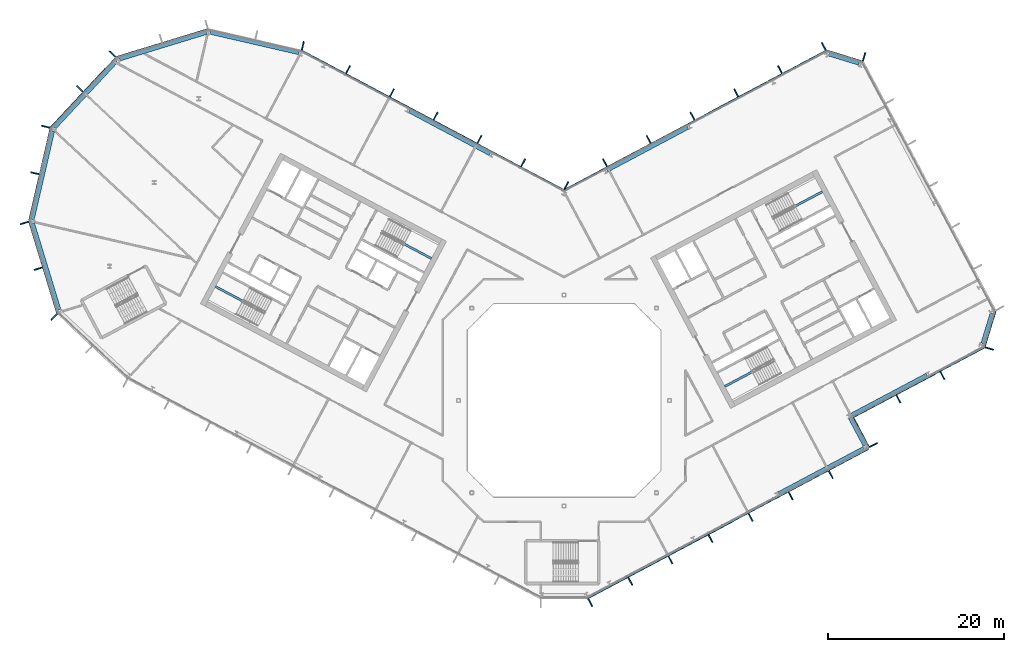
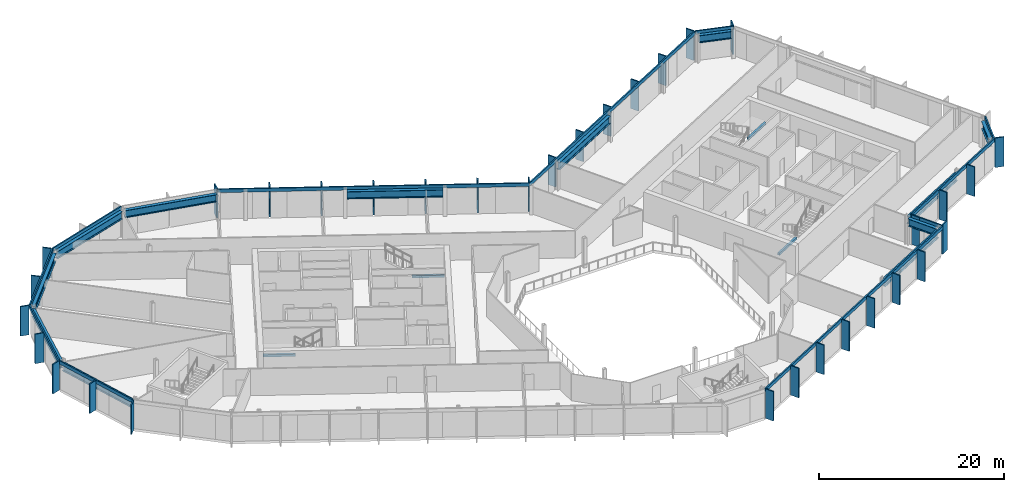
# One storey, part 9 of 27: 44 members, 16 beams, 13 elements without a shape of their own.
"""IFC4 building model written with IfcOpenShell, lengths in metres."""

from ifc_helpers import new_model, si_unit, direction, frame, origin, origin_2d, place, context, subcontext, project, spatial, rectangle, i_section, extrude, material, layer, layer_set, material_profile, profile_set, type_object, element, aggregate, save


model = new_model("IFC4")

# Units and contexts
model_context = context("Model", 3, precision=1e-05, world=origin(), true_north=direction((0.0, 1.0)))
body_context = subcontext(model_context, "Body", "Model", "MODEL_VIEW")
ifc_project = project(units=[si_unit("LENGTHUNIT", "METRE"), si_unit("AREAUNIT", "SQUARE_METRE"), si_unit("VOLUMEUNIT", "CUBIC_METRE"), si_unit("PLANEANGLEUNIT", "RADIAN"), si_unit("MASSUNIT", "GRAM", prefix="KILO")], contexts=[model_context])

# Site, building, storey
site_placement = place(None, origin())
site = spatial("IfcSite", under=ifc_project, at=site_placement, CompositionType="ELEMENT")
building_placement = place(site_placement, origin())
building = spatial("IfcBuilding", under=site, at=building_placement, Name="Cormorant Relay Tower", CompositionType="ELEMENT")
storey_placement = place(building_placement, frame((0.0, 0.0, 209.10009765625)))
storey = spatial("IfcBuildingStorey", under=building, at=storey_placement, Name="L45", CompositionType="ELEMENT", Elevation=209.10009765625)

# Curtain wall, members
ifc_material_1 = material(Name="Aluminium 6063-T6 anodised bronze", Category="aluminium")
ifc_layer = layer(ifc_material_1, 0.199951171875)
ifc_layer_set = layer_set([ifc_layer], Name="CW1 unitised bronze curtain wall with vertical fins")
curtain_wall_type = type_object("IfcCurtainWallType", Name="CW1 unitised bronze curtain wall with vertical fins", PredefinedType="NOTDEFINED", material=ifc_layer_set)
curtain_wall_1_placement = place(storey_placement, origin())
curtain_wall_1 = element("IfcCurtainWall", 1, at=curtain_wall_1_placement, inside=storey, type_object=curtain_wall_type, Name="CW1 curtain wall 2", PredefinedType="NOTDEFINED")
ifc_material_2 = material(Name="Aluminium 6063-T6 anodised bronze", Category="aluminium")
ifc_material_profile_1 = material_profile(ifc_material_2, rectangle(XDim=0.14990234375, YDim=1.0, at=origin_2d()), Name="AL 150x1000")
ifc_profile_set_1 = profile_set([ifc_material_profile_1], Name="Aluminium 6063-T6 anodised bronze")
member_type_1 = type_object("IfcMemberType", Name="CW1 bronze fin mullion 150 x 1000", PredefinedType="MULLION", material=ifc_profile_set_1)
member_1_placement = place(storey_placement, frame((2.9775390625, -22.99365234375, 0.0), z_axis=(0.0, 0.0, 1.0), x_axis=(0.882947592859, 0.469471562786, 0.0)))
member_1 = element("IfcMember", 2, at=member_1_placement, type_object=member_type_1, Name="CW1 fin 2.1", PredefinedType="MULLION", context=body_context, shape_type="SweptSolid", body=[
    extrude(rectangle(XDim=0.14990234375, YDim=1.0, at=origin_2d()), origin(), (0.0, 0.0, 1.0), 3.89990234375),
])
member_2_placement = place(storey_placement, frame((7.539306640625, -20.568115234375, 0.0), z_axis=(0.0, 0.0, 1.0), x_axis=(0.882947592859, 0.469471562786, 0.0)))
member_2 = element("IfcMember", 3, at=member_2_placement, type_object=member_type_1, Name="CW1 fin 2.2", PredefinedType="MULLION", context=body_context, shape_type="SweptSolid", body=[
    extrude(rectangle(XDim=0.14990234375, YDim=1.0, at=origin_2d()), origin(), (0.0, 0.0, 1.0), 3.89990234375),
])
member_3_placement = place(storey_placement, frame((12.10107421875, -18.142578125, 0.0), z_axis=(0.0, 0.0, 1.0), x_axis=(0.882947592859, 0.469471562786, 0.0)))
member_3 = element("IfcMember", 4, at=member_3_placement, type_object=member_type_1, Name="CW1 fin 2.3", PredefinedType="MULLION", context=body_context, shape_type="SweptSolid", body=[
    extrude(rectangle(XDim=0.14990234375, YDim=1.0, at=origin_2d()), origin(), (0.0, 0.0, 1.0), 3.89990234375),
])
member_4_placement = place(storey_placement, frame((16.662841796875, -15.717041015625, 0.0), z_axis=(0.0, 0.0, 1.0), x_axis=(0.882947592859, 0.469471562786, 0.0)))
member_4 = element("IfcMember", 5, at=member_4_placement, type_object=member_type_1, Name="CW1 fin 2.4", PredefinedType="MULLION", context=body_context, shape_type="SweptSolid", body=[
    extrude(rectangle(XDim=0.14990234375, YDim=1.0, at=origin_2d()), origin(), (0.0, 0.0, 1.0), 3.89990234375),
])
member_5_placement = place(storey_placement, frame((21.224609375, -13.29150390625, 0.0), z_axis=(0.0, 0.0, 1.0), x_axis=(0.882947592859, 0.469471562786, 0.0)))
member_5 = element("IfcMember", 6, at=member_5_placement, type_object=member_type_1, Name="CW1 fin 2.5", PredefinedType="MULLION", context=body_context, shape_type="SweptSolid", body=[
    extrude(rectangle(XDim=0.14990234375, YDim=1.0, at=origin_2d()), origin(), (0.0, 0.0, 1.0), 3.89990234375),
])
member_6_placement = place(storey_placement, frame((25.78662109375, -10.865966796875, 0.0), z_axis=(0.0, 0.0, 1.0), x_axis=(0.882947592859, 0.469471562786, 0.0)))
member_6 = element("IfcMember", 7, at=member_6_placement, type_object=member_type_1, Name="CW1 fin 2.6", PredefinedType="MULLION", context=body_context, shape_type="SweptSolid", body=[
    extrude(rectangle(XDim=0.14990234375, YDim=1.0, at=origin_2d()), origin(), (0.0, 0.0, 1.0), 3.89990234375),
])
member_7_placement = place(storey_placement, frame((30.348388671875, -8.440185546875, 0.0), z_axis=(0.0, 0.0, 1.0), x_axis=(0.882947592859, 0.469471562786, 0.0)))
member_7 = element("IfcMember", 8, at=member_7_placement, type_object=member_type_1, Name="CW1 fin 2.7", PredefinedType="MULLION", context=body_context, shape_type="SweptSolid", body=[
    extrude(rectangle(XDim=0.14990234375, YDim=1.0, at=origin_2d()), origin(), (0.0, 0.0, 1.0), 3.89990234375),
])

# Curtain wall, member
curtain_wall_2_placement = place(storey_placement, origin())
curtain_wall_2 = element("IfcCurtainWall", 9, at=curtain_wall_2_placement, inside=storey, type_object=curtain_wall_type, Name="CW1 curtain wall 3", PredefinedType="NOTDEFINED")
member_8_placement = place(storey_placement, frame((35.199462890625, -5.068115234375, 0.0), z_axis=(0.0, 0.0, 1.0), x_axis=(-0.469471562786, 0.882947592859, 0.0)))
member_8 = element("IfcMember", 10, at=member_8_placement, type_object=member_type_1, Name="CW1 fin 3.1", PredefinedType="MULLION", context=body_context, shape_type="SweptSolid", body=[
    extrude(rectangle(XDim=0.14990234375, YDim=1.0, at=origin_2d()), origin(), (0.0, 0.0, 1.0), 3.89990234375),
])

# Curtain wall, members
curtain_wall_3_placement = place(storey_placement, origin())
curtain_wall_3 = element("IfcCurtainWall", 11, at=curtain_wall_3_placement, inside=storey, type_object=curtain_wall_type, Name="CW1 curtain wall 4", PredefinedType="NOTDEFINED")
member_9_placement = place(storey_placement, frame((33.098388671875, -2.44775390625, 0.0), z_axis=(0.0, 0.0, 1.0), x_axis=(0.882947592859, 0.469471562786, 0.0)))
member_9 = element("IfcMember", 12, at=member_9_placement, type_object=member_type_1, Name="CW1 fin 4.1", PredefinedType="MULLION", context=body_context, shape_type="SweptSolid", body=[
    extrude(rectangle(XDim=0.14990234375, YDim=1.0, at=origin_2d()), origin(), (0.0, 0.0, 1.0), 3.89990234375),
])
member_10_placement = place(storey_placement, frame((38.035400390625, 0.177490234375, 0.0), z_axis=(0.0, 0.0, 1.0), x_axis=(0.882947592859, 0.469471562786, 0.0)))
member_10 = element("IfcMember", 13, at=member_10_placement, type_object=member_type_1, Name="CW1 fin 4.2", PredefinedType="MULLION", context=body_context, shape_type="SweptSolid", body=[
    extrude(rectangle(XDim=0.14990234375, YDim=1.0, at=origin_2d()), origin(), (0.0, 0.0, 1.0), 3.89990234375),
])
member_11_placement = place(storey_placement, frame((43.038818359375, 2.837646484375, 0.0), z_axis=(0.0, 0.0, 1.0), x_axis=(0.882947592859, 0.469471562786, 0.0)))
member_11 = element("IfcMember", 14, at=member_11_placement, type_object=member_type_1, Name="CW1 fin 4.3", PredefinedType="MULLION", context=body_context, shape_type="SweptSolid", body=[
    extrude(rectangle(XDim=0.14990234375, YDim=1.0, at=origin_2d()), origin(), (0.0, 0.0, 1.0), 3.89990234375),
])

# Curtain wall, member
curtain_wall_4_placement = place(storey_placement, origin())
curtain_wall_4 = element("IfcCurtainWall", 15, at=curtain_wall_4_placement, inside=storey, type_object=curtain_wall_type, Name="CW1 curtain wall 5", PredefinedType="NOTDEFINED")
member_12_placement = place(storey_placement, frame((48.383056640625, 5.91162109375, 0.0), z_axis=(0.0, 0.0, 1.0), x_axis=(0.292371704723, 0.956304755963, 0.0)))
member_12 = element("IfcMember", 16, at=member_12_placement, type_object=member_type_1, Name="CW1 fin 5.1", PredefinedType="MULLION", context=body_context, shape_type="SweptSolid", body=[
    extrude(rectangle(XDim=0.14990234375, YDim=1.0, at=origin_2d()), origin(), (0.0, 0.0, 1.0), 3.89990234375),
])

curtain_wall_5_placement = place(storey_placement, origin())
curtain_wall_5 = element("IfcCurtainWall", 17, at=curtain_wall_5_placement, inside=storey, type_object=curtain_wall_type, Name="CW1 curtain wall 7", PredefinedType="NOTDEFINED")
member_13_placement = place(storey_placement, frame((34.1357421875, 39.09716796875, 0.0), z_axis=(0.0, 0.0, 1.0), x_axis=(-0.956304755963, 0.292371704723, 0.0)))
member_13 = element("IfcMember", 18, at=member_13_placement, type_object=member_type_1, Name="CW1 fin 7.1", PredefinedType="MULLION", context=body_context, shape_type="SweptSolid", body=[
    extrude(rectangle(XDim=0.14990234375, YDim=1.0, at=origin_2d()), origin(), (0.0, 0.0, 1.0), 3.89990234375),
])

# Curtain wall, members
curtain_wall_6_placement = place(storey_placement, origin())
curtain_wall_6 = element("IfcCurtainWall", 19, at=curtain_wall_6_placement, inside=storey, type_object=curtain_wall_type, Name="CW1 curtain wall 8", PredefinedType="NOTDEFINED")
member_14_placement = place(storey_placement, frame((29.545166015625, 40.2861328125, 0.0), z_axis=(0.0, 0.0, 1.0), x_axis=(-0.882947592859, -0.469471562786, 0.0)))
member_14 = element("IfcMember", 20, at=member_14_placement, type_object=member_type_1, Name="CW1 fin 8.1", PredefinedType="MULLION", context=body_context, shape_type="SweptSolid", body=[
    extrude(rectangle(XDim=0.14990234375, YDim=1.0, at=origin_2d()), origin(), (0.0, 0.0, 1.0), 3.89990234375),
])
member_15_placement = place(storey_placement, frame((24.566162109375, 37.638916015625, 0.0), z_axis=(0.0, 0.0, 1.0), x_axis=(-0.882947592859, -0.469471562786, 0.0)))
member_15 = element("IfcMember", 21, at=member_15_placement, type_object=member_type_1, Name="CW1 fin 8.2", PredefinedType="MULLION", context=body_context, shape_type="SweptSolid", body=[
    extrude(rectangle(XDim=0.14990234375, YDim=1.0, at=origin_2d()), origin(), (0.0, 0.0, 1.0), 3.89990234375),
])
member_16_placement = place(storey_placement, frame((19.587158203125, 34.991455078125, 0.0), z_axis=(0.0, 0.0, 1.0), x_axis=(-0.882947592859, -0.469471562786, 0.0)))
member_16 = element("IfcMember", 22, at=member_16_placement, type_object=member_type_1, Name="CW1 fin 8.3", PredefinedType="MULLION", context=body_context, shape_type="SweptSolid", body=[
    extrude(rectangle(XDim=0.14990234375, YDim=1.0, at=origin_2d()), origin(), (0.0, 0.0, 1.0), 3.89990234375),
])
member_17_placement = place(storey_placement, frame((14.608154296875, 32.343994140625, 0.0), z_axis=(0.0, 0.0, 1.0), x_axis=(-0.882947592859, -0.469471562786, 0.0)))
member_17 = element("IfcMember", 23, at=member_17_placement, type_object=member_type_1, Name="CW1 fin 8.4", PredefinedType="MULLION", context=body_context, shape_type="SweptSolid", body=[
    extrude(rectangle(XDim=0.14990234375, YDim=1.0, at=origin_2d()), origin(), (0.0, 0.0, 1.0), 3.89990234375),
])
member_18_placement = place(storey_placement, frame((9.62939453125, 29.69677734375, 0.0), z_axis=(0.0, 0.0, 1.0), x_axis=(-0.882947592859, -0.469471562786, 0.0)))
member_18 = element("IfcMember", 24, at=member_18_placement, type_object=member_type_1, Name="CW1 fin 8.5", PredefinedType="MULLION", context=body_context, shape_type="SweptSolid", body=[
    extrude(rectangle(XDim=0.14990234375, YDim=1.0, at=origin_2d()), origin(), (0.0, 0.0, 1.0), 3.89990234375),
])
member_19_placement = place(storey_placement, frame((4.650390625, 27.04931640625, 0.0), z_axis=(0.0, 0.0, 1.0), x_axis=(-0.882947592859, -0.469471562786, 0.0)))
member_19 = element("IfcMember", 25, at=member_19_placement, type_object=member_type_1, Name="CW1 fin 8.6", PredefinedType="MULLION", context=body_context, shape_type="SweptSolid", body=[
    extrude(rectangle(XDim=0.14990234375, YDim=1.0, at=origin_2d()), origin(), (0.0, 0.0, 1.0), 3.89990234375),
])

curtain_wall_7_placement = place(storey_placement, origin())
curtain_wall_7 = element("IfcCurtainWall", 26, at=curtain_wall_7_placement, inside=storey, type_object=curtain_wall_type, Name="CW1 curtain wall 9", PredefinedType="NOTDEFINED")
member_20_placement = place(storey_placement, frame((0.262451171875, 24.437255859375, 0.0), z_axis=(0.0, 0.0, 1.0), x_axis=(-0.882947592859, 0.469471562786, 0.0)))
member_20 = element("IfcMember", 27, at=member_20_placement, type_object=member_type_1, Name="CW1 fin 9.1", PredefinedType="MULLION", context=body_context, shape_type="SweptSolid", body=[
    extrude(rectangle(XDim=0.14990234375, YDim=1.0, at=origin_2d()), origin(), (0.0, 0.0, 1.0), 3.89990234375),
])
member_21_placement = place(storey_placement, frame((-4.650390625, 27.04931640625, 0.0), z_axis=(0.0, 0.0, 1.0), x_axis=(-0.882947592859, 0.469471562786, 0.0)))
member_21 = element("IfcMember", 28, at=member_21_placement, type_object=member_type_1, Name="CW1 fin 9.2", PredefinedType="MULLION", context=body_context, shape_type="SweptSolid", body=[
    extrude(rectangle(XDim=0.14990234375, YDim=1.0, at=origin_2d()), origin(), (0.0, 0.0, 1.0), 3.89990234375),
])
member_22_placement = place(storey_placement, frame((-9.62939453125, 29.69677734375, 0.0), z_axis=(0.0, 0.0, 1.0), x_axis=(-0.882947592859, 0.469471562786, 0.0)))
member_22 = element("IfcMember", 29, at=member_22_placement, type_object=member_type_1, Name="CW1 fin 9.3", PredefinedType="MULLION", context=body_context, shape_type="SweptSolid", body=[
    extrude(rectangle(XDim=0.14990234375, YDim=1.0, at=origin_2d()), origin(), (0.0, 0.0, 1.0), 3.89990234375),
])
member_23_placement = place(storey_placement, frame((-14.608154296875, 32.343994140625, 0.0), z_axis=(0.0, 0.0, 1.0), x_axis=(-0.882947592859, 0.469471562786, 0.0)))
member_23 = element("IfcMember", 30, at=member_23_placement, type_object=member_type_1, Name="CW1 fin 9.4", PredefinedType="MULLION", context=body_context, shape_type="SweptSolid", body=[
    extrude(rectangle(XDim=0.14990234375, YDim=1.0, at=origin_2d()), origin(), (0.0, 0.0, 1.0), 3.89990234375),
])
member_24_placement = place(storey_placement, frame((-19.587158203125, 34.991455078125, 0.0), z_axis=(0.0, 0.0, 1.0), x_axis=(-0.882947592859, 0.469471562786, 0.0)))
member_24 = element("IfcMember", 31, at=member_24_placement, type_object=member_type_1, Name="CW1 fin 9.5", PredefinedType="MULLION", context=body_context, shape_type="SweptSolid", body=[
    extrude(rectangle(XDim=0.14990234375, YDim=1.0, at=origin_2d()), origin(), (0.0, 0.0, 1.0), 3.89990234375),
])
member_25_placement = place(storey_placement, frame((-24.566162109375, 37.638916015625, 0.0), z_axis=(0.0, 0.0, 1.0), x_axis=(-0.882947592859, 0.469471562786, 0.0)))
member_25 = element("IfcMember", 32, at=member_25_placement, type_object=member_type_1, Name="CW1 fin 9.6", PredefinedType="MULLION", context=body_context, shape_type="SweptSolid", body=[
    extrude(rectangle(XDim=0.14990234375, YDim=1.0, at=origin_2d()), origin(), (0.0, 0.0, 1.0), 3.89990234375),
])

# Curtain wall, member
curtain_wall_8_placement = place(storey_placement, origin())
curtain_wall_8 = element("IfcCurtainWall", 33, at=curtain_wall_8_placement, inside=storey, type_object=curtain_wall_type, Name="CW1 curtain wall 10", PredefinedType="NOTDEFINED")
member_26_placement = place(storey_placement, frame((-29.71630859375, 40.35009765625, 0.0), z_axis=(0.0, 0.0, 1.0), x_axis=(-0.974370064785, 0.224951054344, 0.0)))
member_26 = element("IfcMember", 34, at=member_26_placement, type_object=member_type_1, Name="CW1 fin 10.1", PredefinedType="MULLION", context=body_context, shape_type="SweptSolid", body=[
    extrude(rectangle(XDim=0.14990234375, YDim=1.0, at=origin_2d()), origin(), (0.0, 0.0, 1.0), 3.89990234375),
])
aggregate(curtain_wall_8, [member_26])

# Curtain wall, members
curtain_wall_9_placement = place(storey_placement, origin())
curtain_wall_9 = element("IfcCurtainWall", 35, at=curtain_wall_9_placement, inside=storey, type_object=curtain_wall_type, Name="CW1 curtain wall 12", PredefinedType="NOTDEFINED")
member_27_placement = place(storey_placement, frame((-51.372802734375, 39.41259765625, 0.0), z_axis=(0.0, 0.0, 1.0), x_axis=(-0.681998360062, -0.731353701619, 0.0)))
member_27 = element("IfcMember", 36, at=member_27_placement, type_object=member_type_1, Name="CW1 fin 12.1", PredefinedType="MULLION", context=body_context, shape_type="SweptSolid", body=[
    extrude(rectangle(XDim=0.14990234375, YDim=1.0, at=origin_2d()), origin(), (0.0, 0.0, 1.0), 3.89990234375),
])
member_28_placement = place(storey_placement, frame((-55.07958984375, 35.4375, 0.0), z_axis=(0.0, 0.0, 1.0), x_axis=(-0.681998360062, -0.731353701619, 0.0)))
member_28 = element("IfcMember", 37, at=member_28_placement, type_object=member_type_1, Name="CW1 fin 12.2", PredefinedType="MULLION", context=body_context, shape_type="SweptSolid", body=[
    extrude(rectangle(XDim=0.14990234375, YDim=1.0, at=origin_2d()), origin(), (0.0, 0.0, 1.0), 3.89990234375),
])

curtain_wall_10_placement = place(storey_placement, origin())
curtain_wall_10 = element("IfcCurtainWall", 38, at=curtain_wall_10_placement, inside=storey, type_object=curtain_wall_type, Name="CW1 curtain wall 13", PredefinedType="NOTDEFINED")
member_29_placement = place(storey_placement, frame((-58.95654296875, 31.142578125, 0.0), z_axis=(0.0, 0.0, 1.0), x_axis=(-0.224951054344, -0.974370064785, 0.0)))
member_29 = element("IfcMember", 39, at=member_29_placement, type_object=member_type_1, Name="CW1 fin 13.1", PredefinedType="MULLION", context=body_context, shape_type="SweptSolid", body=[
    extrude(rectangle(XDim=0.14990234375, YDim=1.0, at=origin_2d()), origin(), (0.0, 0.0, 1.0), 3.89990234375),
])
member_30_placement = place(storey_placement, frame((-60.17919921875, 25.8466796875, 0.0), z_axis=(0.0, 0.0, 1.0), x_axis=(-0.224951054344, -0.974370064785, 0.0)))
member_30 = element("IfcMember", 40, at=member_30_placement, type_object=member_type_1, Name="CW1 fin 13.2", PredefinedType="MULLION", context=body_context, shape_type="SweptSolid", body=[
    extrude(rectangle(XDim=0.14990234375, YDim=1.0, at=origin_2d()), origin(), (0.0, 0.0, 1.0), 3.89990234375),
])

curtain_wall_11_placement = place(storey_placement, origin())
curtain_wall_11 = element("IfcCurtainWall", 41, at=curtain_wall_11_placement, inside=storey, type_object=curtain_wall_type, Name="CW1 curtain wall 14", PredefinedType="NOTDEFINED")
member_31_placement = place(storey_placement, frame((-61.389404296875, 20.188720703125, 0.0), z_axis=(0.0, 0.0, 1.0), x_axis=(0.292371704723, -0.956304755963, 0.0)))
member_31 = element("IfcMember", 42, at=member_31_placement, type_object=member_type_1, Name="CW1 fin 14.1", PredefinedType="MULLION", context=body_context, shape_type="SweptSolid", body=[
    extrude(rectangle(XDim=0.14990234375, YDim=1.0, at=origin_2d()), origin(), (0.0, 0.0, 1.0), 3.89990234375),
])
member_32_placement = place(storey_placement, frame((-59.80029296875, 14.990966796875, 0.0), z_axis=(0.0, 0.0, 1.0), x_axis=(0.292371704723, -0.956304755963, 0.0)))
member_32 = element("IfcMember", 43, at=member_32_placement, type_object=member_type_1, Name="CW1 fin 14.2", PredefinedType="MULLION", context=body_context, shape_type="SweptSolid", body=[
    extrude(rectangle(XDim=0.14990234375, YDim=1.0, at=origin_2d()), origin(), (0.0, 0.0, 1.0), 3.89990234375),
])

# Curtain wall, member
curtain_wall_12_placement = place(storey_placement, origin())
curtain_wall_12 = element("IfcCurtainWall", 44, at=curtain_wall_12_placement, inside=storey, type_object=curtain_wall_type, Name="CW1 curtain wall 15", PredefinedType="NOTDEFINED")
member_33_placement = place(storey_placement, frame((-58.01904296875, 9.486083984375, 0.0), z_axis=(0.0, 0.0, 1.0), x_axis=(0.731353701619, -0.681998360062, 0.0)))
member_33 = element("IfcMember", 45, at=member_33_placement, type_object=member_type_1, Name="CW1 fin 15.1", PredefinedType="MULLION", context=body_context, shape_type="SweptSolid", body=[
    extrude(rectangle(XDim=0.14990234375, YDim=1.0, at=origin_2d()), origin(), (0.0, 0.0, 1.0), 3.89990234375),
])
aggregate(curtain_wall_12, [member_33])

# Member
ifc_material_3 = material(Name="Aluminium 6063-T6 anodised bronze", Category="aluminium")
ifc_material_profile_2 = material_profile(ifc_material_3, rectangle(XDim=0.159912109375, YDim=0.449951171875, at=origin_2d()), Name="AL 160x450")
ifc_profile_set_2 = profile_set([ifc_material_profile_2], Name="Aluminium 6063-T6 anodised bronze")
member_type_2 = type_object("IfcMemberType", Name="CW1 bronze transom 160 x 450", PredefinedType="USERDEFINED", material=ifc_profile_set_2)
member_34_placement = place(storey_placement, frame((2.705078125, -22.4814453125, 3.6748046875), z_axis=(0.882948899141, 0.469469106018, 0.0), x_axis=(-0.469469106018, 0.882948899141, 0.0)))
member_34 = element("IfcMember", 46, at=member_34_placement, type_object=member_type_2, Name="CW1 transom 2", ObjectType="TRANSOM", PredefinedType="USERDEFINED", context=body_context, shape_type="SweptSolid", body=[
    extrude(rectangle(XDim=0.159912109375, YDim=0.449951171875, at=origin_2d()), origin(), (0.0, 0.0, 1.0), 36.165771484375),
])

aggregate(curtain_wall_1, [member_1, member_2, member_3, member_4, member_5, member_6, member_7, member_34])

member_35_placement = place(storey_placement, frame((34.6875, -5.34033203125, 3.6748046875), z_axis=(-0.469485426614, 0.882940221191, 0.0), x_axis=(-0.882940221191, -0.469485426614, 0.0)))
member_35 = element("IfcMember", 47, at=member_35_placement, type_object=member_type_2, Name="CW1 transom 3", ObjectType="TRANSOM", PredefinedType="USERDEFINED", context=body_context, shape_type="SweptSolid", body=[
    extrude(rectangle(XDim=0.159912109375, YDim=0.449951171875, at=origin_2d()), origin(), (0.0, 0.0, 1.0), 4.0),
])

aggregate(curtain_wall_2, [member_8, member_35])

member_36_placement = place(storey_placement, frame((32.760009765625, -1.970947265625, 3.6748046875), z_axis=(0.882941803911, 0.469482450052, 0.0), x_axis=(-0.469482450052, 0.882941803911, 0.0)))
member_36 = element("IfcMember", 48, at=member_36_placement, type_object=member_type_2, Name="CW1 transom 4", ObjectType="TRANSOM", PredefinedType="USERDEFINED", context=body_context, shape_type="SweptSolid", body=[
    extrude(rectangle(XDim=0.159912109375, YDim=0.449951171875, at=origin_2d()), origin(), (0.0, 0.0, 1.0), 17.0),
])

aggregate(curtain_wall_3, [member_9, member_10, member_11, member_36])

member_37_placement = place(storey_placement, frame((47.828369140625, 6.0810546875, 3.6748046875), z_axis=(0.292391046905, 0.95629884225, 0.0), x_axis=(-0.95629884225, 0.292391046905, 0.0)))
member_37 = element("IfcMember", 49, at=member_37_placement, type_object=member_type_2, Name="CW1 transom 5", ObjectType="TRANSOM", PredefinedType="USERDEFINED", context=body_context, shape_type="SweptSolid", body=[
    extrude(rectangle(XDim=0.159912109375, YDim=0.449951171875, at=origin_2d()), origin(), (0.0, 0.0, 1.0), 4.242431640625),
])

aggregate(curtain_wall_4, [member_12, member_37])

member_38_placement = place(storey_placement, frame((33.966064453125, 38.54248046875, 3.6748046875), z_axis=(-0.956303761594, 0.292374957137, 0.0), x_axis=(-0.292374957137, -0.956303761594, 0.0)))
member_38 = element("IfcMember", 50, at=member_38_placement, type_object=member_type_2, Name="CW1 transom 7", ObjectType="TRANSOM", PredefinedType="USERDEFINED", context=body_context, shape_type="SweptSolid", body=[
    extrude(rectangle(XDim=0.159912109375, YDim=0.449951171875, at=origin_2d()), origin(), (0.0, 0.0, 1.0), 4.24267578125),
])

aggregate(curtain_wall_5, [member_13, member_38])

member_39_placement = place(storey_placement, frame((29.8173828125, 39.774169921875, 3.6748046875), z_axis=(-0.882946280328, -0.46947403129, 0.0), x_axis=(0.46947403129, -0.882946280328, 0.0)))
member_39 = element("IfcMember", 51, at=member_39_placement, type_object=member_type_2, Name="CW1 transom 8", ObjectType="TRANSOM", PredefinedType="USERDEFINED", context=body_context, shape_type="SweptSolid", body=[
    extrude(rectangle(XDim=0.159912109375, YDim=0.449951171875, at=origin_2d()), origin(), (0.0, 0.0, 1.0), 33.834228515625),
])

aggregate(curtain_wall_6, [member_14, member_15, member_16, member_17, member_18, member_19, member_39])

member_40_placement = place(storey_placement, frame((0.056396484375, 23.889892578125, 3.6748046875), z_axis=(-0.882946280328, 0.46947403129, 0.0), x_axis=(-0.46947403129, -0.882946280328, 0.0)))
member_40 = element("IfcMember", 52, at=member_40_placement, type_object=member_type_2, Name="CW1 transom 9", ObjectType="TRANSOM", PredefinedType="USERDEFINED", context=body_context, shape_type="SweptSolid", body=[
    extrude(rectangle(XDim=0.159912109375, YDim=0.449951171875, at=origin_2d()), origin(), (0.0, 0.0, 1.0), 33.834228515625),
])

aggregate(curtain_wall_7, [member_20, member_21, member_22, member_23, member_24, member_25, member_40])

# Curtain wall, member
curtain_wall_13_placement = place(storey_placement, origin())
curtain_wall_13 = element("IfcCurtainWall", 53, at=curtain_wall_13_placement, inside=storey, type_object=curtain_wall_type, Name="CW1 curtain wall 11", PredefinedType="NOTDEFINED")
member_41_placement = place(storey_placement, frame((-40.50048828125, 42.228271484375, 3.6748046875), z_axis=(-0.956304833932, -0.292371449698, 0.0), x_axis=(0.292371449698, -0.956304833932, 0.0)))
member_41 = element("IfcMember", 54, at=member_41_placement, type_object=member_type_2, Name="CW1 transom 11", ObjectType="TRANSOM", PredefinedType="USERDEFINED", context=body_context, shape_type="SweptSolid", body=[
    extrude(rectangle(XDim=0.159912109375, YDim=0.449951171875, at=origin_2d()), origin(), (0.0, 0.0, 1.0), 10.87060546875),
])
aggregate(curtain_wall_13, [member_41])

# Member
member_42_placement = place(storey_placement, frame((-50.94873046875, 39.01708984375, 3.6748046875), z_axis=(-0.681993299437, -0.731358420696, 0.0), x_axis=(0.731358420696, -0.681993299437, 0.0)))
member_42 = element("IfcMember", 55, at=member_42_placement, type_object=member_type_2, Name="CW1 transom 12", ObjectType="TRANSOM", PredefinedType="USERDEFINED", context=body_context, shape_type="SweptSolid", body=[
    extrude(rectangle(XDim=0.159912109375, YDim=0.449951171875, at=origin_2d()), origin(), (0.0, 0.0, 1.0), 10.870361328125),
])

aggregate(curtain_wall_9, [member_27, member_28, member_42])

member_43_placement = place(storey_placement, frame((-58.3916015625, 31.01220703125, 3.6748046875), z_axis=(-0.22495136131, -0.974369993916, 0.0), x_axis=(0.974369993916, -0.22495136131, 0.0)))
member_43 = element("IfcMember", 56, at=member_43_placement, type_object=member_type_2, Name="CW1 transom 13", ObjectType="TRANSOM", PredefinedType="USERDEFINED", context=body_context, shape_type="SweptSolid", body=[
    extrude(rectangle(XDim=0.159912109375, YDim=0.449951171875, at=origin_2d()), origin(), (0.0, 0.0, 1.0), 10.870361328125),
])

aggregate(curtain_wall_10, [member_29, member_30, member_43])

member_44_placement = place(storey_placement, frame((-60.834716796875, 20.358154296875, 3.6748046875), z_axis=(0.292377729282, -0.95630291405, 0.0), x_axis=(0.95630291405, 0.292377729282, 0.0)))
member_44 = element("IfcMember", 57, at=member_44_placement, type_object=member_type_2, Name="CW1 transom 14", ObjectType="TRANSOM", PredefinedType="USERDEFINED", context=body_context, shape_type="SweptSolid", body=[
    extrude(rectangle(XDim=0.159912109375, YDim=0.449951171875, at=origin_2d()), origin(), (0.0, 0.0, 1.0), 10.870361328125),
])

aggregate(curtain_wall_11, [member_31, member_32, member_44])

# Beams
ifc_material_4 = material(Name="Steel ASTM A992 (Fy 345 MPa)", Category="steel")
ifc_material_profile_3 = material_profile(ifc_material_4, i_section(OverallWidth=0.4013671875, OverallDepth=0.990478515625, WebThickness=0.0166015625, FlangeThickness=0.031005859375, FilletRadius=0.030029296875, at=origin_2d()), Name="W1000x320")
ifc_profile_set_3 = profile_set([ifc_material_profile_3], Name="Steel ASTM A992 (Fy 345 MPa)")
beam_type_1 = type_object("IfcBeamType", Name="Spandrel W1000x320", PredefinedType="SPANDREL", material=ifc_profile_set_3)
beam_1_placement = place(storey_placement, frame((24.423583984375, -10.5703125, 3.044677734375), z_axis=(0.882952735253, 0.469461891221, 0.0), x_axis=(-0.469461891221, 0.882952735253, 0.0)))
element("IfcBeam", 58, at=beam_1_placement, inside=storey, type_object=beam_type_1, Name="Spandrel beam L45-002", PredefinedType="SPANDREL", context=body_context, shape_type="SweptSolid", body=[
    extrude(i_section(OverallWidth=0.4013671875, OverallDepth=0.990478515625, WebThickness=0.0166015625, FlangeThickness=0.031005859375, FilletRadius=0.030029296875, at=origin_2d()), origin(), (0.0, 0.0, 1.0), 10.96142578125),
])
beam_2_placement = place(storey_placement, frame((34.20458984375, -5.115478515625, 3.044677734375), z_axis=(-0.469423552529, 0.882973118691, 0.0), x_axis=(-0.882973118691, -0.469423552529, 0.0)))
element("IfcBeam", 59, at=beam_2_placement, inside=storey, type_object=beam_type_1, Name="Spandrel beam L45-003", PredefinedType="SPANDREL", context=body_context, shape_type="SweptSolid", body=[
    extrude(i_section(OverallWidth=0.4013671875, OverallDepth=0.990478515625, WebThickness=0.0166015625, FlangeThickness=0.031005859375, FilletRadius=0.030029296875, at=origin_2d()), origin(), (0.0, 0.0, 1.0), 3.56982421875),
])
beam_3_placement = place(storey_placement, frame((32.609375, -1.687744140625, 3.044677734375), z_axis=(0.882948215634, 0.469470391515, 0.0), x_axis=(-0.469470391515, 0.882948215634, 0.0)))
element("IfcBeam", 60, at=beam_3_placement, inside=storey, type_object=beam_type_1, Name="Spandrel beam L45-004", PredefinedType="SPANDREL", context=body_context, shape_type="SweptSolid", body=[
    extrude(i_section(OverallWidth=0.4013671875, OverallDepth=0.990478515625, WebThickness=0.0166015625, FlangeThickness=0.031005859375, FilletRadius=0.030029296875, at=origin_2d()), origin(), (0.0, 0.0, 1.0), 9.79736328125),
])
for number, where, z_axis, x_axis, name in (
    (61, (47.618896484375, 6.4921875, 3.044677734375), (0.292349563537, 0.956311524923, 0.0), (-0.956311524923, 0.292349563537, 0.0), "Spandrel beam L45-005"),
    (62, (33.5546875, 38.3330078125, 3.044677734375), (-0.956311524923, 0.292349563537, 0.0), (-0.292349563537, -0.956311524923, 0.0), "Spandrel beam L45-007"),
):
    element("IfcBeam", number, at=place(storey_placement, frame(where, z_axis=z_axis, x_axis=x_axis)), inside=storey, type_object=beam_type_1, Name=name, PredefinedType="SPANDREL", context=body_context, shape_type="SweptSolid", body=[
        extrude(i_section(OverallWidth=0.4013671875, OverallDepth=0.990478515625, WebThickness=0.0166015625, FlangeThickness=0.031005859375, FilletRadius=0.030029296875, at=origin_2d()), origin(), (0.0, 0.0, 1.0), 3.59765625),
    ])
for number, where, z_axis, x_axis, name in (
    (63, (14.0732421875, 31.03955078125, 3.044677734375), (-0.882949648898, -0.469467695918, 0.0), (0.469467695918, -0.882949648898, 0.0), "Spandrel beam L45-008"),
    (64, (-8.426025390625, 28.036865234375, 3.044677734375), (-0.882949648898, 0.469467695918, 0.0), (-0.469467695918, -0.882949648898, 0.0), "Spandrel beam L45-009"),
):
    element("IfcBeam", number, at=place(storey_placement, frame(where, z_axis=z_axis, x_axis=x_axis)), inside=storey, type_object=beam_type_1, Name=name, PredefinedType="SPANDREL", context=body_context, shape_type="SweptSolid", body=[
        extrude(i_section(OverallWidth=0.4013671875, OverallDepth=0.990478515625, WebThickness=0.0166015625, FlangeThickness=0.031005859375, FilletRadius=0.030029296875, at=origin_2d()), origin(), (0.0, 0.0, 1.0), 10.39599609375),
    ])
beam_4_placement = place(storey_placement, frame((-30.1533203125, 39.526611328125, 3.044677734375), z_axis=(-0.97436619016, 0.22496783653, 0.0), x_axis=(-0.22496783653, -0.97436619016, 0.0)))
element("IfcBeam", 65, at=beam_4_placement, inside=storey, type_object=beam_type_1, Name="Spandrel beam L45-010", PredefinedType="SPANDREL", context=body_context, shape_type="SweptSolid", body=[
    extrude(i_section(OverallWidth=0.4013671875, OverallDepth=0.990478515625, WebThickness=0.0166015625, FlangeThickness=0.031005859375, FilletRadius=0.030029296875, at=origin_2d()), origin(), (0.0, 0.0, 1.0), 10.369384765625),
])
beam_5_placement = place(storey_placement, frame((-40.680419921875, 41.837890625, 3.044677734375), z_axis=(-0.956303094801, -0.292377138084, 0.0), x_axis=(0.292377138084, -0.956303094801, 0.0)))
element("IfcBeam", 66, at=beam_5_placement, inside=storey, type_object=beam_type_1, Name="Spandrel beam L45-011", PredefinedType="SPANDREL", context=body_context, shape_type="SweptSolid", body=[
    extrude(i_section(OverallWidth=0.4013671875, OverallDepth=0.990478515625, WebThickness=0.0166015625, FlangeThickness=0.031005859375, FilletRadius=0.030029296875, at=origin_2d()), origin(), (0.0, 0.0, 1.0), 10.32421875),
])
beam_6_placement = place(storey_placement, frame((-50.90966796875, 38.5888671875, 3.044677734375), z_axis=(-0.681996285296, -0.731355636365, 0.0), x_axis=(0.731355636365, -0.681996285296, 0.0)))
element("IfcBeam", 67, at=beam_6_placement, inside=storey, type_object=beam_type_1, Name="Spandrel beam L45-012", PredefinedType="SPANDREL", context=body_context, shape_type="SweptSolid", body=[
    extrude(i_section(OverallWidth=0.4013671875, OverallDepth=0.990478515625, WebThickness=0.0166015625, FlangeThickness=0.031005859375, FilletRadius=0.030029296875, at=origin_2d()), origin(), (0.0, 0.0, 1.0), 10.32275390625),
])
beam_7_placement = place(storey_placement, frame((-58.143310546875, 30.66162109375, 3.044677734375), z_axis=(-0.224957947919, -0.974368473252, 0.0), x_axis=(0.974368473252, -0.224957947919, 0.0)))
element("IfcBeam", 68, at=beam_7_placement, inside=storey, type_object=beam_type_1, Name="Spandrel beam L45-013", PredefinedType="SPANDREL", context=body_context, shape_type="SweptSolid", body=[
    extrude(i_section(OverallWidth=0.4013671875, OverallDepth=0.990478515625, WebThickness=0.0166015625, FlangeThickness=0.031005859375, FilletRadius=0.030029296875, at=origin_2d()), origin(), (0.0, 0.0, 1.0), 10.32421875),
])
beam_8_placement = place(storey_placement, frame((-60.4443359375, 20.178466796875, 3.044677734375), z_axis=(0.29236873538, -0.956305663777, 0.0), x_axis=(0.956305663777, 0.29236873538, 0.0)))
element("IfcBeam", 69, at=beam_8_placement, inside=storey, type_object=beam_type_1, Name="Spandrel beam L45-014", PredefinedType="SPANDREL", context=body_context, shape_type="SweptSolid", body=[
    extrude(i_section(OverallWidth=0.4013671875, OverallDepth=0.990478515625, WebThickness=0.0166015625, FlangeThickness=0.031005859375, FilletRadius=0.030029296875, at=origin_2d()), origin(), (0.0, 0.0, 1.0), 10.32373046875),
])
ifc_material_5 = material(Name="Concrete 50 MPa", Category="concrete")
ifc_material_profile_4 = material_profile(ifc_material_5, rectangle(XDim=0.25, YDim=0.300048828125, at=origin_2d()), Name="RC 250x300")
ifc_profile_set_4 = profile_set([ifc_material_profile_4], Name="Concrete 50 MPa")
beam_type_2 = type_object("IfcBeamType", Name="Stair landing ledge beam 250x300", PredefinedType="BEAM", material=ifc_profile_set_4)
beam_9_placement = place(storey_placement, frame((-18.219482421875, 17.813720703125, 1.599853515625), z_axis=(0.882950035608, -0.469466968614, 0.0), x_axis=(0.469466968614, 0.882950035608, 0.0)))
element("IfcBeam", 70, at=beam_9_placement, inside=storey, type_object=beam_type_2, Name="A1 landing ledge beam", PredefinedType="BEAM", context=body_context, shape_type="SweptSolid", body=[
    extrude(rectangle(XDim=0.25, YDim=0.300048828125, at=origin_2d()), origin(), (0.0, 0.0, 1.0), 3.5498046875),
])
for number, where, z_axis, x_axis, name in (
    (71, (-36.523193359375, 11.29345703125, 1.599853515625), (-0.88293668587, 0.469492075273, 0.0), (-0.469492075273, -0.88293668587, 0.0), "A2 landing ledge beam"),
    (72, (21.4248046875, 3.265380859375, 1.599853515625), (-0.88296519247, -0.469438461235, 0.0), (0.469438461235, -0.88296519247, 0.0), "B1 landing ledge beam"),
    (73, (26.25439453125, 22.0859375, 1.599853515625), (0.88296519247, 0.469438461235, 0.0), (-0.469438461235, 0.88296519247, 0.0), "B2 landing ledge beam"),
):
    element("IfcBeam", number, at=place(storey_placement, frame(where, z_axis=z_axis, x_axis=x_axis)), inside=storey, type_object=beam_type_2, Name=name, PredefinedType="BEAM", context=body_context, shape_type="SweptSolid", body=[
        extrude(rectangle(XDim=0.25, YDim=0.300048828125, at=origin_2d()), origin(), (0.0, 0.0, 1.0), 3.550048828125),
    ])

save(model, "model.ifc")
